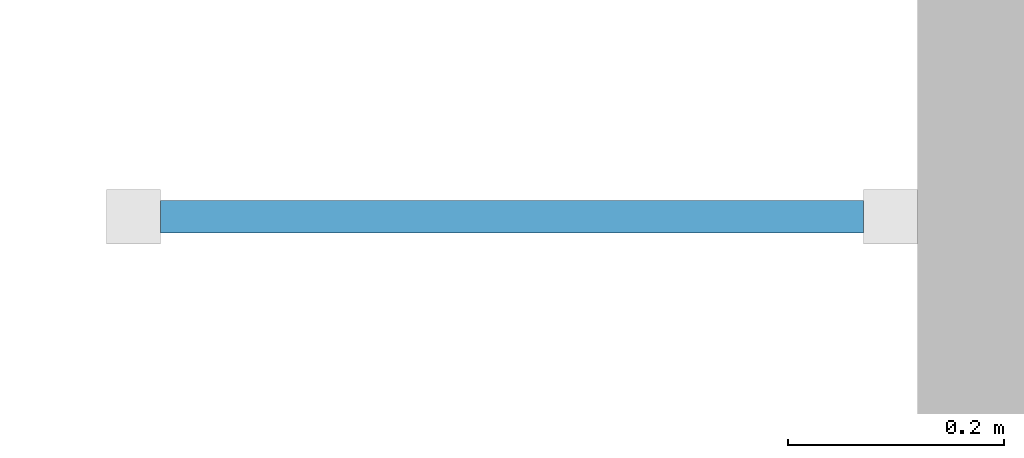
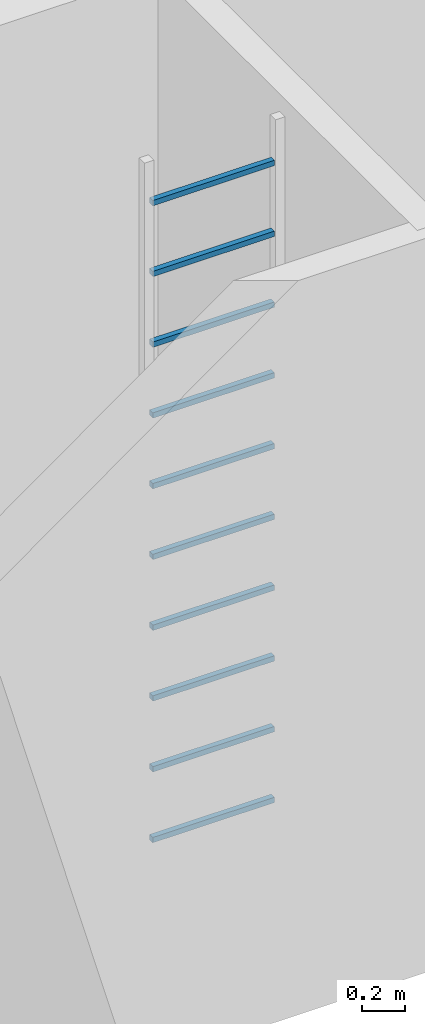
# One storey, part 6 of 27: 10 members.
"""IFC4 building model written with IfcOpenShell, lengths in metres."""

from ifc_helpers import new_model, si_unit, direction, frame, origin, origin_2d, place, context, subcontext, project, spatial, rectangle, extrude, material, material_profile, profile_set, type_object, element, save


model = new_model("IFC4")

# Units and contexts
model_context = context("Model", 3, precision=1e-05, world=origin(), true_north=direction((0.0, 1.0)))
body_context = subcontext(model_context, "Body", "Model", "MODEL_VIEW")
ifc_project = project(units=[si_unit("LENGTHUNIT", "METRE"), si_unit("AREAUNIT", "SQUARE_METRE"), si_unit("VOLUMEUNIT", "CUBIC_METRE"), si_unit("PLANEANGLEUNIT", "RADIAN"), si_unit("MASSUNIT", "GRAM", prefix="KILO")], contexts=[model_context])

# Site, building, storey
site_placement = place(None, origin())
site = spatial("IfcSite", under=ifc_project, at=site_placement, CompositionType="ELEMENT")
building_placement = place(site_placement, origin())
building = spatial("IfcBuilding", under=site, at=building_placement, Name="Dilmun Exchange Tower", CompositionType="ELEMENT")
storey_placement = place(building_placement, frame((0.0, 0.0, 4.5)))
storey = spatial("IfcBuildingStorey", under=building, at=storey_placement, Name="L01", CompositionType="ELEMENT", Elevation=4.5)

# Members
ifc_material = material(Name="Steel S355", Category="steel")
ifc_material_profile = material_profile(ifc_material, rectangle(XDim=0.030029296875, YDim=0.030029296875, at=origin_2d()), Name="30 x 30")
ifc_profile_set = profile_set([ifc_material_profile], Name="Steel S355")
member_type = type_object("IfcMemberType", Name="School roof ladder rung 30", PredefinedType="USERDEFINED", material=ifc_profile_set)
for number, where, z_axis, x_axis, name in (
    (1, (5.633056640625, -37.89990234375, 0.199951171875), (1.0, 0.0, 0.0), (0.0, 1.0, 0.0), "School roof ladder rung"),
    (2, (5.633056640625, -37.89990234375, 0.60009765625), (1.0, 0.0, 0.0), (0.0, 1.0, 0.0), "School roof ladder rung"),
    (3, (5.633056640625, -37.89990234375, 1.0), (1.0, 0.0, 0.0), (0.0, 1.0, 0.0), "School roof ladder rung"),
    (4, (5.633056640625, -37.89990234375, 1.39990234375), (1.0, 0.0, 0.0), (0.0, 1.0, 0.0), "School roof ladder rung"),
    (5, (5.633056640625, -37.89990234375, 1.800048828125), (1.0, 0.0, 0.0), (0.0, 1.0, 0.0), "School roof ladder rung"),
    (6, (5.633056640625, -37.89990234375, 2.199951171875), (1.0, 0.0, 0.0), (0.0, 1.0, 0.0), "School roof ladder rung"),
    (7, (5.633056640625, -37.89990234375, 2.60009765625), (1.0, 0.0, 0.0), (0.0, 1.0, 0.0), "School roof ladder rung"),
    (8, (5.633056640625, -37.89990234375, 3.0), (1.0, 0.0, 0.0), (0.0, 1.0, 0.0), "School roof ladder rung"),
    (9, (5.633056640625, -37.89990234375, 3.39990234375), (1.0, 0.0, 0.0), (0.0, 1.0, 0.0), "School roof ladder rung"),
    (10, (5.633056640625, -37.89990234375, 3.800048828125), (1.0, 0.0, 0.0), (0.0, 1.0, 0.0), "School roof ladder rung"),
):
    element("IfcMember", number, at=place(storey_placement, frame(where, z_axis=z_axis, x_axis=x_axis)), inside=storey, type_object=member_type, Name=name, ObjectType="LADDER", PredefinedType="USERDEFINED", context=body_context, shape_type="SweptSolid", body=[
        extrude(rectangle(XDim=0.030029296875, YDim=0.030029296875, at=origin_2d()), origin(), (0.0, 0.0, 1.0), 0.64990234375),
    ])

save(model, "model.ifc")
